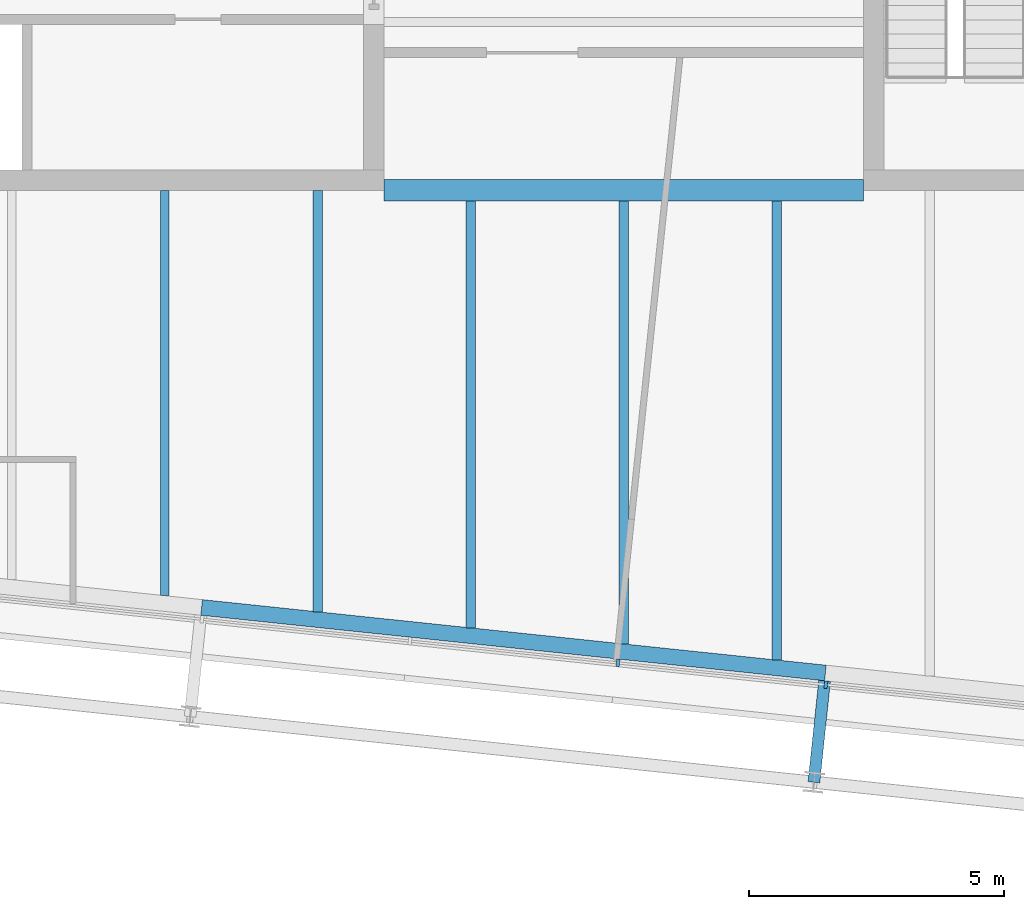
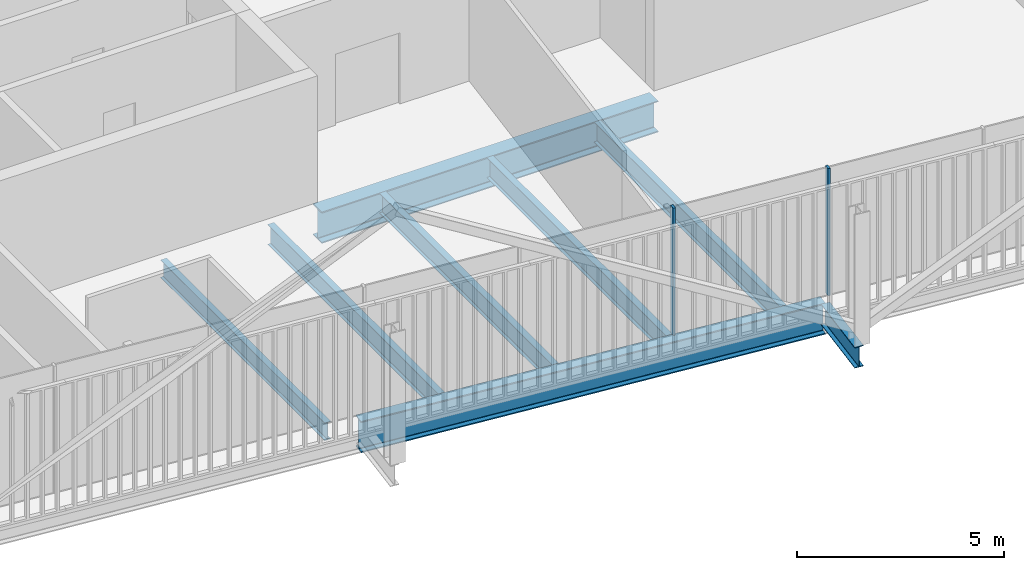
# One storey, part 5 of 21: 8 beams, 2 members, 1 element without a shape of its own.
"""IFC4 building model written with IfcOpenShell, lengths in metres."""

from ifc_helpers import new_model, si_unit, direction, frame, origin, origin_2d, place, context, subcontext, project, spatial, rectangle, i_section, extrude, material, layer, layer_set, material_profile, profile_set, type_object, element, aggregate, save


model = new_model("IFC4")

# Units and contexts
model_context = context("Model", 3, precision=1e-05, world=origin(), true_north=direction((0.0, 1.0)))
body_context = subcontext(model_context, "Body", "Model", "MODEL_VIEW")
ifc_project = project(units=[si_unit("LENGTHUNIT", "METRE"), si_unit("AREAUNIT", "SQUARE_METRE"), si_unit("VOLUMEUNIT", "CUBIC_METRE"), si_unit("PLANEANGLEUNIT", "RADIAN"), si_unit("MASSUNIT", "GRAM", prefix="KILO")], contexts=[model_context])

# Site, building, storey
site_placement = place(None, origin())
site = spatial("IfcSite", under=ifc_project, at=site_placement, CompositionType="ELEMENT")
building_placement = place(site_placement, origin())
building = spatial("IfcBuilding", under=site, at=building_placement, Name="Millrace Tower", CompositionType="ELEMENT")
storey_placement = place(building_placement, frame((0.0, 0.0, 334.300048828125)))
storey = spatial("IfcBuildingStorey", under=building, at=storey_placement, Name="L77", CompositionType="ELEMENT", Elevation=334.300048828125)

# Curtain wall, members
ifc_material_1 = material(Name="Aluminium and glass", Category="aluminium")
ifc_layer = layer(ifc_material_1, 0.14990234375)
ifc_layer_set = layer_set([ifc_layer], Name="Aluminium and glass")
curtain_wall_type = type_object("IfcCurtainWallType", Name="CW-1 office vision curtain wall", PredefinedType="NOTDEFINED", material=ifc_layer_set)
curtain_wall_placement = place(storey_placement, origin())
curtain_wall = element("IfcCurtainWall", 1, at=curtain_wall_placement, inside=storey, type_object=curtain_wall_type, Name="Curtain wall E-F02 L77", PredefinedType="NOTDEFINED")
ifc_material_2 = material(Name="Aluminium", Category="aluminium")
ifc_material_profile_1 = material_profile(ifc_material_2, rectangle(XDim=0.06494140625, YDim=0.14990234375, at=origin_2d()))
ifc_profile_set_1 = profile_set([ifc_material_profile_1], Name="Aluminium")
member_type = type_object("IfcMemberType", Name="CW-1 office vision curtain wall mullion", PredefinedType="MULLION", material=ifc_profile_set_1)
member_1_placement = place(storey_placement, frame((-0.11474609375, -18.567626953125, 0.139892578125), z_axis=(0.0, 0.0, 1.0), x_axis=(0.994521896217, -0.104528455196, 0.0)))
member_1 = element("IfcMember", 2, at=member_1_placement, type_object=member_type, Name="CW1 mullion E-F02.6", PredefinedType="MULLION", context=body_context, shape_type="SweptSolid", body=[
    extrude(rectangle(XDim=0.06494140625, YDim=0.14990234375, at=origin_2d()), origin(), (0.0, 0.0, 1.0), 3.760009765625),
])
member_2_placement = place(storey_placement, frame((3.962890625, -18.99609375, 0.139892578125), z_axis=(0.0, 0.0, 1.0), x_axis=(0.994521896217, -0.104528455196, 0.0)))
member_2 = element("IfcMember", 3, at=member_2_placement, type_object=member_type, Name="CW1 mullion E-F02.7", PredefinedType="MULLION", context=body_context, shape_type="SweptSolid", body=[
    extrude(rectangle(XDim=0.06494140625, YDim=0.14990234375, at=origin_2d()), origin(), (0.0, 0.0, 1.0), 3.760009765625),
])
aggregate(curtain_wall, [member_1, member_2])

# Beams
ifc_material_3 = material(Name="Steel ASTM A992 Grade 50", Category="steel")
ifc_material_profile_2 = material_profile(ifc_material_3, i_section(OverallWidth=0.1650390625, OverallDepth=0.52587890625, WebThickness=0.0087890625, FlangeThickness=0.011474609375, FilletRadius=0.0126953125, at=origin_2d()))
ifc_profile_set_2 = profile_set([ifc_material_profile_2], Name="Steel ASTM A992 Grade 50")
beam_type_1 = type_object("IfcBeamType", Name="Floor beam W21x44", PredefinedType="JOIST", material=ifc_profile_set_2)
beam_1_placement = place(storey_placement, frame((-9.0, -17.249267578125, -0.4228515625), z_axis=(0.0, 1.0, 0.0), x_axis=(-1.0, 0.0, 0.0)))
element("IfcBeam", 4, at=beam_1_placement, inside=storey, type_object=beam_type_1, Name="BM-E-L77-S1-S039", PredefinedType="JOIST", context=body_context, shape_type="SweptSolid", body=[
    extrude(i_section(OverallWidth=0.1650390625, OverallDepth=0.52587890625, WebThickness=0.0087890625, FlangeThickness=0.011474609375, FilletRadius=0.0126953125, at=origin_2d()), origin(), (0.0, 0.0, 1.0), 7.94921875),
])
ifc_material_4 = material(Name="Steel ASTM A992 Grade 50", Category="steel")
ifc_material_profile_3 = material_profile(ifc_material_4, i_section(OverallWidth=0.177978515625, OverallDepth=0.599365234375, WebThickness=0.010009765625, FlangeThickness=0.012939453125, FilletRadius=0.012939453125, at=origin_2d()))
ifc_profile_set_3 = profile_set([ifc_material_profile_3], Name="Steel ASTM A992 Grade 50")
beam_type_2 = type_object("IfcBeamType", Name="Floor beam W24x55", PredefinedType="JOIST", material=ifc_profile_set_3)
beam_2_placement = place(storey_placement, frame((-6.0, -17.564697265625, -0.459716796875), z_axis=(0.0, 1.0, 0.0), x_axis=(-1.0, 0.0, 0.0)))
element("IfcBeam", 5, at=beam_2_placement, inside=storey, type_object=beam_type_2, Name="BM-E-L77-S1-S041", PredefinedType="JOIST", context=body_context, shape_type="SweptSolid", body=[
    extrude(i_section(OverallWidth=0.177978515625, OverallDepth=0.599365234375, WebThickness=0.010009765625, FlangeThickness=0.012939453125, FilletRadius=0.012939453125, at=origin_2d()), origin(), (0.0, 0.0, 1.0), 8.2646484375),
])
beam_3_placement = place(storey_placement, frame((-3.0, -17.8798828125, -0.459716796875), z_axis=(0.0, 1.0, 0.0), x_axis=(-1.0, 0.0, 0.0)))
element("IfcBeam", 6, at=beam_3_placement, inside=storey, type_object=beam_type_2, Name="BM-E-L77-S1-S043", PredefinedType="JOIST", context=body_context, shape_type="SweptSolid", body=[
    extrude(i_section(OverallWidth=0.177978515625, OverallDepth=0.599365234375, WebThickness=0.010009765625, FlangeThickness=0.012939453125, FilletRadius=0.012939453125, at=origin_2d()), origin(), (0.0, 0.0, 1.0), 8.370361328125),
])
beam_4_placement = place(storey_placement, frame((0.0, -18.1953125, -0.459716796875), z_axis=(0.0, 1.0, 0.0), x_axis=(-1.0, 0.0, 0.0)))
element("IfcBeam", 7, at=beam_4_placement, inside=storey, type_object=beam_type_2, Name="BM-E-L77-S1-S045", PredefinedType="JOIST", context=body_context, shape_type="SweptSolid", body=[
    extrude(i_section(OverallWidth=0.177978515625, OverallDepth=0.599365234375, WebThickness=0.010009765625, FlangeThickness=0.012939453125, FilletRadius=0.012939453125, at=origin_2d()), origin(), (0.0, 0.0, 1.0), 8.685791015625),
])
beam_5_placement = place(storey_placement, frame((3.0, -18.510498046875, -0.459716796875), z_axis=(0.0, 1.0, 0.0), x_axis=(-1.0, 0.0, 0.0)))
element("IfcBeam", 8, at=beam_5_placement, inside=storey, type_object=beam_type_2, Name="BM-E-L77-S1-S047", PredefinedType="JOIST", context=body_context, shape_type="SweptSolid", body=[
    extrude(i_section(OverallWidth=0.177978515625, OverallDepth=0.599365234375, WebThickness=0.010009765625, FlangeThickness=0.012939453125, FilletRadius=0.012939453125, at=origin_2d()), origin(), (0.0, 0.0, 1.0), 9.0009765625),
])
ifc_material_5 = material(Name="Steel ASTM A992 Grade 50", Category="steel")
ifc_material_profile_4 = material_profile(ifc_material_5, i_section(OverallWidth=0.419189453125, OverallDepth=0.927001953125, WebThickness=0.019287109375, FlangeThickness=0.031982421875, FilletRadius=0.024169921875, at=origin_2d()))
ifc_profile_set_4 = profile_set([ifc_material_profile_4], Name="Steel ASTM A992 Grade 50")
beam_type_3 = type_object("IfcBeamType", Name="Girder short span W36x231", PredefinedType="BEAM", material=ifc_profile_set_4)
beam_6_placement = place(storey_placement, frame((-4.699951171875, -9.300048828125, -0.62353515625), z_axis=(1.0, 0.0, 0.0), x_axis=(0.0, 1.0, 0.0)))
element("IfcBeam", 9, at=beam_6_placement, inside=storey, type_object=beam_type_3, Name="BM-E-L77-S1-G059", PredefinedType="BEAM", context=body_context, shape_type="SweptSolid", body=[
    extrude(i_section(OverallWidth=0.419189453125, OverallDepth=0.927001953125, WebThickness=0.019287109375, FlangeThickness=0.031982421875, FilletRadius=0.024169921875, at=origin_2d()), origin(), (0.0, 0.0, 1.0), 9.39990234375),
])
ifc_material_6 = material(Name="Steel ASTM A992 Grade 50", Category="steel")
ifc_material_profile_5 = material_profile(ifc_material_6, i_section(OverallWidth=0.23046875, OverallDepth=0.6171875, WebThickness=0.01318359375, FlangeThickness=0.022216796875, FilletRadius=0.012939453125, at=origin_2d()))
ifc_profile_set_5 = profile_set([ifc_material_profile_5], Name="Steel ASTM A992 Grade 50")
beam_type_4 = type_object("IfcBeamType", Name="Link beam W24x94", PredefinedType="BEAM", material=ifc_profile_set_5)
beam_7_placement = place(storey_placement, frame((3.938232421875, -18.918212890625, -0.46875), z_axis=(-0.104494148666, -0.99452550138, 0.0), x_axis=(0.99452550138, -0.104494148666, 0.0)))
element("IfcBeam", 10, at=beam_7_placement, inside=storey, type_object=beam_type_4, Name="LNK-E-L77-S1-14", PredefinedType="BEAM", context=body_context, shape_type="SweptSolid", body=[
    extrude(i_section(OverallWidth=0.23046875, OverallDepth=0.6171875, WebThickness=0.01318359375, FlangeThickness=0.022216796875, FilletRadius=0.012939453125, at=origin_2d()), origin(), (0.0, 0.0, 1.0), 2.0),
])
ifc_material_7 = material(Name="Steel ASTM A992 Grade 50", Category="steel")
ifc_material_profile_6 = material_profile(ifc_material_7, i_section(OverallWidth=0.307373046875, OverallDepth=0.927001953125, WebThickness=0.01953125, FlangeThickness=0.031982421875, FilletRadius=0.01904296875, at=origin_2d()))
ifc_profile_set_6 = profile_set([ifc_material_profile_6], Name="Steel ASTM A992 Grade 50")
beam_type_5 = type_object("IfcBeamType", Name="Ring beam medium span W36x194", PredefinedType="SPANDREL", material=ifc_profile_set_6)
beam_8_placement = place(storey_placement, frame((3.954345703125, -18.765380859375, -0.62353515625), z_axis=(-0.994522406476, 0.104523600289, 0.0), x_axis=(-0.104523600289, -0.994522406476, 0.0)))
element("IfcBeam", 11, at=beam_8_placement, inside=storey, type_object=beam_type_5, Name="RNG-E-L77-S1-14", PredefinedType="SPANDREL", context=body_context, shape_type="SweptSolid", body=[
    extrude(i_section(OverallWidth=0.307373046875, OverallDepth=0.927001953125, WebThickness=0.01953125, FlangeThickness=0.031982421875, FilletRadius=0.01904296875, at=origin_2d()), origin(), (0.0, 0.0, 1.0), 12.300048828125),
])

save(model, "model.ifc")
